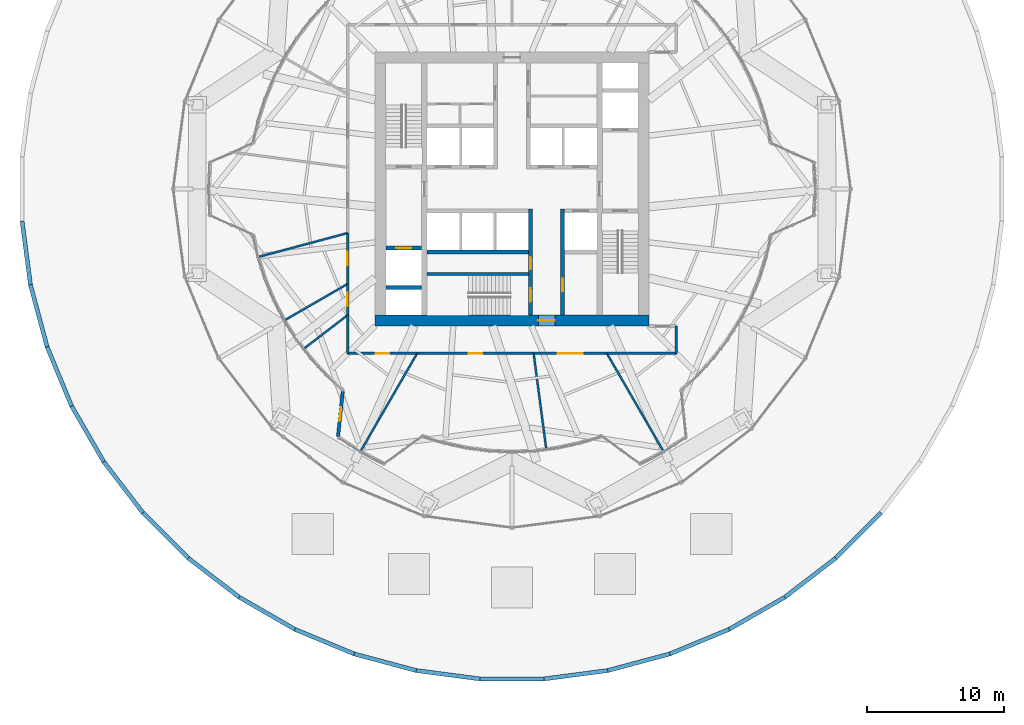
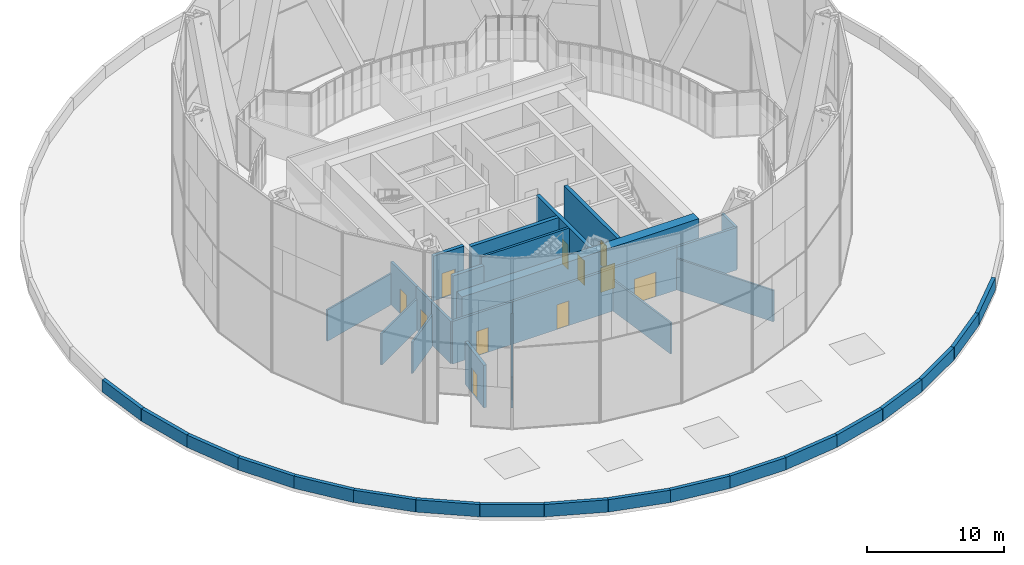
# One storey, part 23 of 27: 40 walls, 11 doors, 11 openings.
"""IFC4 building model written with IfcOpenShell, lengths in metres."""

from ifc_helpers import new_model, si_unit, direction, frame, frame_2d, origin, place, context, subcontext, project, spatial, rectangle, extrude, material, layer, layer_set, type_object, element, fill, save


model = new_model("IFC4")

# Units and contexts
model_context = context("Model", 3, precision=1e-05, world=origin(), true_north=direction((0.0, 1.0)))
body_context = subcontext(model_context, "Body", "Model", "MODEL_VIEW")
ifc_project = project(units=[si_unit("LENGTHUNIT", "METRE"), si_unit("AREAUNIT", "SQUARE_METRE"), si_unit("VOLUMEUNIT", "CUBIC_METRE"), si_unit("PLANEANGLEUNIT", "RADIAN"), si_unit("MASSUNIT", "GRAM", prefix="KILO")], contexts=[model_context])

# Site, building, storey
site_placement = place(None, origin())
site = spatial("IfcSite", under=ifc_project, at=site_placement, CompositionType="ELEMENT")
building_placement = place(site_placement, origin())
building = spatial("IfcBuilding", under=site, at=building_placement, Name="Golbaran Civic Tower", CompositionType="ELEMENT")
storey_placement = place(building_placement, frame((0.0, 0.0, 21.0)))
storey = spatial("IfcBuildingStorey", under=building, at=storey_placement, Name="L04", CompositionType="ELEMENT", Elevation=21.0)

# Wall, opening, door
ifc_material_1 = material(Name="Concrete C50/60", Category="concrete")
ifc_layer_1 = layer(ifc_material_1, 0.800048828125, Name="Concrete C50/60")
ifc_layer_set_1 = layer_set([ifc_layer_1], Name="Concrete C50/60")
wall_type_1 = type_object("IfcWallType", Name="CORE WALL CONCRETE 800", PredefinedType="SOLIDWALL", material=ifc_layer_set_1)
wall_1_placement = place(storey_placement, frame((10.0, -9.60009765625, 0.0), z_axis=(0.0, 0.0, 1.0), x_axis=(-1.0, 0.0, 0.0)))
wall_1 = element("IfcWall", 1, at=wall_1_placement, inside=storey, type_object=wall_type_1, Name="Core wall CS L04", PredefinedType="SOLIDWALL", context=body_context, shape_type="SweptSolid", body=[
    extrude(rectangle(XDim=20.0, YDim=0.800048828125, at=frame_2d((10.0, 0.0))), origin(), (0.0, 0.0, 1.0), 4.0),
])
opening_1_placement = place(wall_1_placement, frame((6.875, 0.0, 0.0)))
opening_1 = element("IfcOpeningElement", 2, at=opening_1_placement, cuts=wall_1, Name="Opening L04.CS", PredefinedType="OPENING", context=body_context, shape_type="SweptSolid", body=[
    extrude(rectangle(XDim=1.199951171875, YDim=2.199951171875, at=frame_2d((0.60009765625, 1.10009765625))), frame((0.0, 0.409912109375, 0.0), z_axis=(0.0, -1.0, 0.0), x_axis=(1.0, 0.0, 0.0)), (0.0, 0.0, 1.0), 0.820068359375),
])
ifc_material_2 = material(Name="Timber door set in steel frame", Category="steel")
door_type_1 = type_object("IfcDoorType", Name="CORE DOOR 1200x2200", OperationType="DOUBLE_DOOR_SINGLE_SWING", PredefinedType="DOOR", material=ifc_material_2)
door_1_placement = place(opening_1_placement, origin())
door_1 = element("IfcDoor", 3, at=door_1_placement, inside=storey, type_object=door_type_1, Name="Core door south", OperationType="DOUBLE_DOOR_SINGLE_SWING", OverallHeight=2.199951171875, OverallWidth=1.199951171875, PredefinedType="DOOR", context=body_context, shape_type="SweptSolid", body=[
    extrude(rectangle(XDim=1.199951171875, YDim=2.199951171875, at=frame_2d((0.60009765625, 1.10009765625))), frame((0.0, 0.02490234375, 0.0), z_axis=(0.0, -1.0, 0.0), x_axis=(1.0, 0.0, 0.0)), (0.0, 0.0, 1.0), 0.050048828125),
])
fill(opening_1, door_1)

ifc_material_3 = material(Name="Gypsum board on steel studs, fire-rated", Category="steel")
ifc_layer_2 = layer(ifc_material_3, 0.199951171875, Name="Gypsum board on steel studs, fire-rated")
ifc_layer_set_2 = layer_set([ifc_layer_2], Name="Gypsum board on steel studs, fire-rated")
wall_type_2 = type_object("IfcWallType", Name="CORRIDOR WALL 200", PredefinedType="PARTITIONING", material=ifc_layer_set_2)
wall_2_placement = place(storey_placement, frame((-12.0, -3.21533203125, 0.0), z_axis=(0.0, 0.0, 1.0), x_axis=(0.0, -1.0, 0.0)))
wall_2 = element("IfcWall", 4, at=wall_2_placement, inside=storey, type_object=wall_type_2, Name="Corridor wall L04", PredefinedType="PARTITIONING", context=body_context, shape_type="SweptSolid", body=[
    extrude(rectangle(XDim=3.712890625, YDim=0.199951171875, at=frame_2d((1.8564453125, 0.0))), origin(), (0.0, 0.0, 1.0), 3.800048828125),
])
opening_2_placement = place(wall_2_placement, frame((1.3564453125, 0.0, 0.0)))
opening_2 = element("IfcOpeningElement", 5, at=opening_2_placement, cuts=wall_2, Name="Opening L04.09", PredefinedType="OPENING", context=body_context, shape_type="SweptSolid", body=[
    extrude(rectangle(XDim=1.0, YDim=2.199951171875, at=frame_2d((0.5, 1.10009765625))), frame((0.0, 0.10986328125, 0.0), z_axis=(0.0, -1.0, 0.0), x_axis=(1.0, 0.0, 0.0)), (0.0, 0.0, 1.0), 0.219970703125),
])
door_type_2 = type_object("IfcDoorType", Name="OFFICE DOOR 1000x2200", OperationType="SINGLE_SWING_LEFT", PredefinedType="DOOR", material=ifc_material_2)
door_2_placement = place(opening_2_placement, origin())
door_2 = element("IfcDoor", 6, at=door_2_placement, inside=storey, type_object=door_type_2, Name="Project Room door L04", OperationType="SINGLE_SWING_RIGHT", OverallHeight=2.199951171875, OverallWidth=1.0, PredefinedType="DOOR", context=body_context, shape_type="SweptSolid", body=[
    extrude(rectangle(XDim=1.0, YDim=2.199951171875, at=frame_2d((0.5, 1.10009765625))), frame((0.0, 0.02490234375, 0.0), z_axis=(0.0, -1.0, 0.0), x_axis=(1.0, 0.0, 0.0)), (0.0, 0.0, 1.0), 0.050048828125),
])
fill(opening_2, door_2)

wall_3_placement = place(storey_placement, frame((-12.0, -6.92822265625, 0.0), z_axis=(0.0, 0.0, 1.0), x_axis=(0.0, -1.0, 0.0)))
wall_3 = element("IfcWall", 7, at=wall_3_placement, inside=storey, type_object=wall_type_2, Name="Corridor wall L04", PredefinedType="PARTITIONING", context=body_context, shape_type="SweptSolid", body=[
    extrude(rectangle(XDim=2.27978515625, YDim=0.199951171875, at=frame_2d((1.139892578125, 0.0))), origin(), (0.0, 0.0, 1.0), 3.800048828125),
])
opening_3_placement = place(wall_3_placement, frame((0.639892578125, 0.0, 0.0)))
opening_3 = element("IfcOpeningElement", 8, at=opening_3_placement, cuts=wall_3, Name="Opening L04.10", PredefinedType="OPENING", context=body_context, shape_type="SweptSolid", body=[
    extrude(rectangle(XDim=1.0, YDim=2.199951171875, at=frame_2d((0.5, 1.10009765625))), frame((0.0, 0.10986328125, 0.0), z_axis=(0.0, -1.0, 0.0), x_axis=(1.0, 0.0, 0.0)), (0.0, 0.0, 1.0), 0.219970703125),
])
door_3_placement = place(opening_3_placement, origin())
door_3 = element("IfcDoor", 9, at=door_3_placement, inside=storey, type_object=door_type_2, Name="Store door L04", OperationType="SINGLE_SWING_RIGHT", OverallHeight=2.199951171875, OverallWidth=1.0, PredefinedType="DOOR", context=body_context, shape_type="SweptSolid", body=[
    extrude(rectangle(XDim=1.0, YDim=2.199951171875, at=frame_2d((0.5, 1.10009765625))), frame((0.0, 0.02490234375, 0.0), z_axis=(0.0, -1.0, 0.0), x_axis=(1.0, 0.0, 0.0)), (0.0, 0.0, 1.0), 0.050048828125),
])
fill(opening_3, door_3)

# Wall
wall_4_placement = place(storey_placement, frame((-12.0, -9.2080078125, 0.0), z_axis=(0.0, 0.0, 1.0), x_axis=(0.0, -1.0, 0.0)))
element("IfcWall", 10, at=wall_4_placement, inside=storey, type_object=wall_type_2, Name="Corridor wall L04", PredefinedType="PARTITIONING", context=body_context, shape_type="SweptSolid", body=[
    extrude(rectangle(XDim=2.7919921875, YDim=0.199951171875, at=frame_2d((1.39599609375, 0.0))), origin(), (0.0, 0.0, 1.0), 3.800048828125),
])

# Wall, opening, door
wall_5_placement = place(storey_placement, frame((-12.0, -12.0, 0.0), z_axis=(0.0, 0.0, 1.0), x_axis=(1.0, 0.0, 0.0)))
wall_5 = element("IfcWall", 11, at=wall_5_placement, inside=storey, type_object=wall_type_2, Name="Corridor wall L04", PredefinedType="PARTITIONING", context=body_context, shape_type="SweptSolid", body=[
    extrude(rectangle(XDim=5.07177734375, YDim=0.199951171875, at=frame_2d((2.535888671875, 0.0))), origin(), (0.0, 0.0, 1.0), 3.800048828125),
])
opening_4_placement = place(wall_5_placement, frame((2.035888671875, 0.0, 0.0)))
opening_4 = element("IfcOpeningElement", 12, at=opening_4_placement, cuts=wall_5, Name="Opening L04.11", PredefinedType="OPENING", context=body_context, shape_type="SweptSolid", body=[
    extrude(rectangle(XDim=1.0, YDim=2.199951171875, at=frame_2d((0.5, 1.10009765625))), frame((0.0, 0.10986328125, 0.0), z_axis=(0.0, -1.0, 0.0), x_axis=(1.0, 0.0, 0.0)), (0.0, 0.0, 1.0), 0.219970703125),
])
door_4_placement = place(opening_4_placement, origin())
door_4 = element("IfcDoor", 13, at=door_4_placement, inside=storey, type_object=door_type_2, Name="Print and Copy Room door L04", OperationType="SINGLE_SWING_LEFT", OverallHeight=2.199951171875, OverallWidth=1.0, PredefinedType="DOOR", context=body_context, shape_type="SweptSolid", body=[
    extrude(rectangle(XDim=1.0, YDim=2.199951171875, at=frame_2d((0.5, 1.10009765625))), frame((0.0, 0.02490234375, 0.0), z_axis=(0.0, -1.0, 0.0), x_axis=(1.0, 0.0, 0.0)), (0.0, 0.0, 1.0), 0.050048828125),
])
fill(opening_4, door_4)

wall_6_placement = place(storey_placement, frame((-6.92822265625, -12.0, 0.0), z_axis=(0.0, 0.0, 1.0), x_axis=(1.0, 0.0, 0.0)))
wall_6 = element("IfcWall", 14, at=wall_6_placement, inside=storey, type_object=wall_type_2, Name="Corridor wall L04", PredefinedType="PARTITIONING", context=body_context, shape_type="SweptSolid", body=[
    extrude(rectangle(XDim=8.508056640625, YDim=0.199951171875, at=frame_2d((4.25390625, 0.0))), origin(), (0.0, 0.0, 1.0), 3.800048828125),
])
opening_5_placement = place(wall_6_placement, frame((3.75390625, 0.0, 0.0)))
opening_5 = element("IfcOpeningElement", 15, at=opening_5_placement, cuts=wall_6, Name="Opening L04.12", PredefinedType="OPENING", context=body_context, shape_type="SweptSolid", body=[
    extrude(rectangle(XDim=1.0, YDim=2.199951171875, at=frame_2d((0.5, 1.10009765625))), frame((0.0, 0.10986328125, 0.0), z_axis=(0.0, -1.0, 0.0), x_axis=(1.0, 0.0, 0.0)), (0.0, 0.0, 1.0), 0.219970703125),
])
door_5_placement = place(opening_5_placement, origin())
door_5 = element("IfcDoor", 16, at=door_5_placement, inside=storey, type_object=door_type_2, Name="File Room door L04", OperationType="SINGLE_SWING_LEFT", OverallHeight=2.199951171875, OverallWidth=1.0, PredefinedType="DOOR", context=body_context, shape_type="SweptSolid", body=[
    extrude(rectangle(XDim=1.0, YDim=2.199951171875, at=frame_2d((0.5, 1.10009765625))), frame((0.0, 0.02490234375, 0.0), z_axis=(0.0, -1.0, 0.0), x_axis=(1.0, 0.0, 0.0)), (0.0, 0.0, 1.0), 0.050048828125),
])
fill(opening_5, door_5)

wall_7_placement = place(storey_placement, frame((1.579833984375, -12.0, 0.0), z_axis=(0.0, 0.0, 1.0), x_axis=(1.0, 0.0, 0.0)))
wall_7 = element("IfcWall", 17, at=wall_7_placement, inside=storey, type_object=wall_type_2, Name="Corridor wall L04", PredefinedType="PARTITIONING", context=body_context, shape_type="SweptSolid", body=[
    extrude(rectangle(XDim=5.348388671875, YDim=0.199951171875, at=frame_2d((2.67431640625, 0.0))), origin(), (0.0, 0.0, 1.0), 3.800048828125),
])
opening_6_placement = place(wall_7_placement, frame((1.774169921875, 0.0, 0.0)))
opening_6 = element("IfcOpeningElement", 18, at=opening_6_placement, cuts=wall_7, Name="Opening L04.13", PredefinedType="OPENING", context=body_context, shape_type="SweptSolid", body=[
    extrude(rectangle(XDim=1.800048828125, YDim=2.199951171875, at=frame_2d((0.89990234375, 1.10009765625))), frame((0.0, 0.10986328125, 0.0), z_axis=(0.0, -1.0, 0.0), x_axis=(1.0, 0.0, 0.0)), (0.0, 0.0, 1.0), 0.219970703125),
])
door_type_3 = type_object("IfcDoorType", Name="OFFICE DOUBLE DOOR 1800x2200", OperationType="DOUBLE_DOOR_SINGLE_SWING", PredefinedType="DOOR", material=ifc_material_2)
door_6_placement = place(opening_6_placement, origin())
door_6 = element("IfcDoor", 19, at=door_6_placement, inside=storey, type_object=door_type_3, Name="Open Office door L04", OperationType="DOUBLE_DOOR_SINGLE_SWING", OverallHeight=2.199951171875, OverallWidth=1.800048828125, PredefinedType="DOOR", context=body_context, shape_type="SweptSolid", body=[
    extrude(rectangle(XDim=1.800048828125, YDim=2.199951171875, at=frame_2d((0.89990234375, 1.10009765625))), frame((0.0, 0.02490234375, 0.0), z_axis=(0.0, -1.0, 0.0), x_axis=(1.0, 0.0, 0.0)), (0.0, 0.0, 1.0), 0.050048828125),
])
fill(opening_6, door_6)

# Walls
wall_8_placement = place(storey_placement, frame((6.92822265625, -12.0, 0.0), z_axis=(0.0, 0.0, 1.0), x_axis=(1.0, 0.0, 0.0)))
element("IfcWall", 20, at=wall_8_placement, inside=storey, type_object=wall_type_2, Name="Corridor wall L04", PredefinedType="PARTITIONING", context=body_context, shape_type="SweptSolid", body=[
    extrude(rectangle(XDim=5.07177734375, YDim=0.199951171875, at=frame_2d((2.535888671875, 0.0))), origin(), (0.0, 0.0, 1.0), 3.800048828125),
])
wall_9_placement = place(storey_placement, frame((12.0, -12.0, 0.0), z_axis=(0.0, 0.0, 1.0), x_axis=(0.0, 1.0, 0.0)))
element("IfcWall", 21, at=wall_9_placement, inside=storey, type_object=wall_type_2, Name="Corridor wall L04", PredefinedType="PARTITIONING", context=body_context, shape_type="SweptSolid", body=[
    extrude(rectangle(XDim=2.0, YDim=0.199951171875, at=frame_2d((1.0, 0.0))), origin(), (0.0, 0.0, 1.0), 3.800048828125),
])
ifc_material_4 = material(Name="Gypsum board on steel studs", Category="steel")
ifc_layer_3 = layer(ifc_material_4, 0.14990234375, Name="Gypsum board on steel studs")
ifc_layer_set_3 = layer_set([ifc_layer_3], Name="Gypsum board on steel studs")
wall_type_3 = type_object("IfcWallType", Name="OFFICE PARTITION 150", PredefinedType="PARTITIONING", material=ifc_layer_set_3)
wall_10_placement = place(storey_placement, frame((-12.0, -3.21533203125, 0.0), z_axis=(0.0, 0.0, 1.0), x_axis=(-0.965926419694, -0.258816830476, 0.0)))
element("IfcWall", 22, at=wall_10_placement, inside=storey, type_object=wall_type_3, Name="Partition 195 L04", PredefinedType="PARTITIONING", context=body_context, shape_type="SweptSolid", body=[
    extrude(rectangle(XDim=6.7001953125, YDim=0.14990234375, at=frame_2d((3.35009765625, 0.0))), origin(), (0.0, 0.0, 1.0), 2.7900390625),
])
wall_11_placement = place(storey_placement, frame((-12.0, -6.92822265625, 0.0), z_axis=(0.0, 0.0, 1.0), x_axis=(-0.866029667373, -0.499992615176, 0.0)))
element("IfcWall", 23, at=wall_11_placement, inside=storey, type_object=wall_type_3, Name="Partition 210 L04", PredefinedType="PARTITIONING", context=body_context, shape_type="SweptSolid", body=[
    extrude(rectangle(XDim=5.26708984375, YDim=0.14990234375, at=frame_2d((2.633544921875, 0.0))), origin(), (0.0, 0.0, 1.0), 2.7900390625),
])
wall_12_placement = place(storey_placement, frame((-12.0, -9.2080078125, 0.0), z_axis=(0.0, 0.0, 1.0), x_axis=(-0.7933554916, -0.608758625359, 0.0)))
element("IfcWall", 24, at=wall_12_placement, inside=storey, type_object=wall_type_3, Name="Partition 217.5 L04", PredefinedType="PARTITIONING", context=body_context, shape_type="SweptSolid", body=[
    extrude(rectangle(XDim=3.9794921875, YDim=0.14990234375, at=frame_2d((1.98974609375, 0.0))), origin(), (0.0, 0.0, 1.0), 2.7900390625),
])
wall_13_placement = place(storey_placement, frame((-6.92822265625, -12.0, 0.0), z_axis=(0.0, 0.0, 1.0), x_axis=(-0.499995243048, -0.866028150195, 0.0)))
element("IfcWall", 25, at=wall_13_placement, inside=storey, type_object=wall_type_3, Name="Partition 240 L04", PredefinedType="PARTITIONING", context=body_context, shape_type="SweptSolid", body=[
    extrude(rectangle(XDim=8.2119140625, YDim=0.14990234375, at=frame_2d((4.10595703125, 0.0))), origin(), (0.0, 0.0, 1.0), 2.7900390625),
])
wall_14_placement = place(storey_placement, frame((1.579833984375, -12.0, 0.0), z_axis=(0.0, 0.0, 1.0), x_axis=(0.130512238579, -0.991446698306, 0.0)))
element("IfcWall", 26, at=wall_14_placement, inside=storey, type_object=wall_type_3, Name="Partition 277.5 L04", PredefinedType="PARTITIONING", context=body_context, shape_type="SweptSolid", body=[
    extrude(rectangle(XDim=7.001708984375, YDim=0.14990234375, at=frame_2d((3.5009765625, 0.0))), origin(), (0.0, 0.0, 1.0), 2.7900390625),
])
wall_15_placement = place(storey_placement, frame((6.92822265625, -12.0, 0.0), z_axis=(0.0, 0.0, 1.0), x_axis=(0.499995243048, -0.866028150195, 0.0)))
element("IfcWall", 27, at=wall_15_placement, inside=storey, type_object=wall_type_3, Name="Partition 300 L04", PredefinedType="PARTITIONING", context=body_context, shape_type="SweptSolid", body=[
    extrude(rectangle(XDim=8.2119140625, YDim=0.14990234375, at=frame_2d((4.10595703125, 0.0))), origin(), (0.0, 0.0, 1.0), 2.7900390625),
])
ifc_material_5 = material(Name="Terracotta brick", Category="masonry")
ifc_layer_4 = layer(ifc_material_5, 0.300048828125, Name="Terracotta brick")
ifc_layer_set_4 = layer_set([ifc_layer_4], Name="Terracotta brick")
wall_type_4 = type_object("IfcWallType", Name="PARAPET WALL 300", PredefinedType="PARAPET", material=ifc_layer_set_4)
wall_16_placement = place(storey_placement, frame((-35.773193359375, -2.3447265625, 0.0), z_axis=(0.0, 0.0, 1.0), x_axis=(0.130523197803, -0.991445255592, 0.0)))
element("IfcWall", 28, at=wall_16_placement, inside=storey, type_object=wall_type_4, Name="Podium roof parapet 25", PredefinedType="PARAPET", context=body_context, shape_type="SweptSolid", body=[
    extrude(rectangle(XDim=4.689208984375, YDim=0.300048828125, at=frame_2d((2.3447265625, 0.0))), origin(), (0.0, 0.0, 1.0), 1.10009765625),
])
wall_17_placement = place(storey_placement, frame((-35.1611328125, -6.993896484375, 0.0), z_axis=(0.0, 0.0, 1.0), x_axis=(0.258793334411, -0.965932715081, 0.0)))
element("IfcWall", 29, at=wall_17_placement, inside=storey, type_object=wall_type_4, Name="Podium roof parapet 26", PredefinedType="PARAPET", context=body_context, shape_type="SweptSolid", body=[
    extrude(rectangle(XDim=4.689453125, YDim=0.300048828125, at=frame_2d((2.3447265625, 0.0))), origin(), (0.0, 0.0, 1.0), 1.10009765625),
])
wall_18_placement = place(storey_placement, frame((-33.947509765625, -11.523681640625, 0.0), z_axis=(0.0, 0.0, 1.0), x_axis=(0.382718109354, -0.92386516807, 0.0)))
element("IfcWall", 30, at=wall_18_placement, inside=storey, type_object=wall_type_4, Name="Podium roof parapet 27", PredefinedType="PARAPET", context=body_context, shape_type="SweptSolid", body=[
    extrude(rectangle(XDim=4.689208984375, YDim=0.300048828125, at=frame_2d((2.3447265625, 0.0))), origin(), (0.0, 0.0, 1.0), 1.10009765625),
])
wall_19_placement = place(storey_placement, frame((-32.15283203125, -15.85595703125, 0.0), z_axis=(0.0, 0.0, 1.0), x_axis=(0.499991342483, -0.866030402146, 0.0)))
element("IfcWall", 31, at=wall_19_placement, inside=storey, type_object=wall_type_4, Name="Podium roof parapet 28", PredefinedType="PARAPET", context=body_context, shape_type="SweptSolid", body=[
    extrude(rectangle(XDim=4.689453125, YDim=0.300048828125, at=frame_2d((2.3447265625, 0.0))), origin(), (0.0, 0.0, 1.0), 1.10009765625),
])
wall_20_placement = place(storey_placement, frame((-29.80810546875, -19.917236328125, 0.0), z_axis=(0.0, 0.0, 1.0), x_axis=(0.608776874879, -0.793341488019, 0.0)))
element("IfcWall", 32, at=wall_20_placement, inside=storey, type_object=wall_type_4, Name="Podium roof parapet 29", PredefinedType="PARAPET", context=body_context, shape_type="SweptSolid", body=[
    extrude(rectangle(XDim=4.689208984375, YDim=0.300048828125, at=frame_2d((2.3447265625, 0.0))), origin(), (0.0, 0.0, 1.0), 1.10009765625),
])
wall_21_placement = place(storey_placement, frame((-26.953369140625, -23.637451171875, 0.0), z_axis=(0.0, 0.0, 1.0), x_axis=(0.707106781187, -0.707106781187, 0.0)))
element("IfcWall", 33, at=wall_21_placement, inside=storey, type_object=wall_type_4, Name="Podium roof parapet 30", PredefinedType="PARAPET", context=body_context, shape_type="SweptSolid", body=[
    extrude(rectangle(XDim=4.689453125, YDim=0.300048828125, at=frame_2d((2.3447265625, 0.0))), origin(), (0.0, 0.0, 1.0), 1.10009765625),
])
wall_22_placement = place(storey_placement, frame((-23.637451171875, -26.953369140625, 0.0), z_axis=(0.0, 0.0, 1.0), x_axis=(0.793341488019, -0.608776874879, 0.0)))
element("IfcWall", 34, at=wall_22_placement, inside=storey, type_object=wall_type_4, Name="Podium roof parapet 31", PredefinedType="PARAPET", context=body_context, shape_type="SweptSolid", body=[
    extrude(rectangle(XDim=4.689208984375, YDim=0.300048828125, at=frame_2d((2.3447265625, 0.0))), origin(), (0.0, 0.0, 1.0), 1.10009765625),
])
wall_23_placement = place(storey_placement, frame((-19.917236328125, -29.80810546875, 0.0), z_axis=(0.0, 0.0, 1.0), x_axis=(0.866030402146, -0.499991342483, 0.0)))
element("IfcWall", 35, at=wall_23_placement, inside=storey, type_object=wall_type_4, Name="Podium roof parapet 32", PredefinedType="PARAPET", context=body_context, shape_type="SweptSolid", body=[
    extrude(rectangle(XDim=4.689453125, YDim=0.300048828125, at=frame_2d((2.3447265625, 0.0))), origin(), (0.0, 0.0, 1.0), 1.10009765625),
])
wall_24_placement = place(storey_placement, frame((-15.85595703125, -32.15283203125, 0.0), z_axis=(0.0, 0.0, 1.0), x_axis=(0.92386516807, -0.382718109354, 0.0)))
element("IfcWall", 36, at=wall_24_placement, inside=storey, type_object=wall_type_4, Name="Podium roof parapet 33", PredefinedType="PARAPET", context=body_context, shape_type="SweptSolid", body=[
    extrude(rectangle(XDim=4.689208984375, YDim=0.300048828125, at=frame_2d((2.3447265625, 0.0))), origin(), (0.0, 0.0, 1.0), 1.10009765625),
])
wall_25_placement = place(storey_placement, frame((-11.523681640625, -33.947509765625, 0.0), z_axis=(0.0, 0.0, 1.0), x_axis=(0.965932715081, -0.258793334411, 0.0)))
element("IfcWall", 37, at=wall_25_placement, inside=storey, type_object=wall_type_4, Name="Podium roof parapet 34", PredefinedType="PARAPET", context=body_context, shape_type="SweptSolid", body=[
    extrude(rectangle(XDim=4.689453125, YDim=0.300048828125, at=frame_2d((2.3447265625, 0.0))), origin(), (0.0, 0.0, 1.0), 1.10009765625),
])
wall_26_placement = place(storey_placement, frame((-6.993896484375, -35.1611328125, 0.0), z_axis=(0.0, 0.0, 1.0), x_axis=(0.991445255592, -0.130523197803, 0.0)))
element("IfcWall", 38, at=wall_26_placement, inside=storey, type_object=wall_type_4, Name="Podium roof parapet 35", PredefinedType="PARAPET", context=body_context, shape_type="SweptSolid", body=[
    extrude(rectangle(XDim=4.689208984375, YDim=0.300048828125, at=frame_2d((2.3447265625, 0.0))), origin(), (0.0, 0.0, 1.0), 1.10009765625),
])
wall_27_placement = place(storey_placement, frame((-2.3447265625, -35.773193359375, 0.0), z_axis=(0.0, 0.0, 1.0), x_axis=(1.0, 0.0, 0.0)))
element("IfcWall", 39, at=wall_27_placement, inside=storey, type_object=wall_type_4, Name="Podium roof parapet 36", PredefinedType="PARAPET", context=body_context, shape_type="SweptSolid", body=[
    extrude(rectangle(XDim=4.689453125, YDim=0.300048828125, at=frame_2d((2.3447265625, 0.0))), origin(), (0.0, 0.0, 1.0), 1.10009765625),
])
wall_28_placement = place(storey_placement, frame((2.3447265625, -35.773193359375, 0.0), z_axis=(0.0, 0.0, 1.0), x_axis=(0.991445255592, 0.130523197803, 0.0)))
element("IfcWall", 40, at=wall_28_placement, inside=storey, type_object=wall_type_4, Name="Podium roof parapet 37", PredefinedType="PARAPET", context=body_context, shape_type="SweptSolid", body=[
    extrude(rectangle(XDim=4.689208984375, YDim=0.300048828125, at=frame_2d((2.3447265625, 0.0))), origin(), (0.0, 0.0, 1.0), 1.10009765625),
])
wall_29_placement = place(storey_placement, frame((6.993896484375, -35.1611328125, 0.0), z_axis=(0.0, 0.0, 1.0), x_axis=(0.965932715081, 0.258793334411, 0.0)))
element("IfcWall", 41, at=wall_29_placement, inside=storey, type_object=wall_type_4, Name="Podium roof parapet 38", PredefinedType="PARAPET", context=body_context, shape_type="SweptSolid", body=[
    extrude(rectangle(XDim=4.689453125, YDim=0.300048828125, at=frame_2d((2.3447265625, 0.0))), origin(), (0.0, 0.0, 1.0), 1.10009765625),
])
wall_30_placement = place(storey_placement, frame((11.523681640625, -33.947509765625, 0.0), z_axis=(0.0, 0.0, 1.0), x_axis=(0.92386516807, 0.382718109354, 0.0)))
element("IfcWall", 42, at=wall_30_placement, inside=storey, type_object=wall_type_4, Name="Podium roof parapet 39", PredefinedType="PARAPET", context=body_context, shape_type="SweptSolid", body=[
    extrude(rectangle(XDim=4.689208984375, YDim=0.300048828125, at=frame_2d((2.3447265625, 0.0))), origin(), (0.0, 0.0, 1.0), 1.10009765625),
])
wall_31_placement = place(storey_placement, frame((15.85595703125, -32.15283203125, 0.0), z_axis=(0.0, 0.0, 1.0), x_axis=(0.866030402146, 0.499991342483, 0.0)))
element("IfcWall", 43, at=wall_31_placement, inside=storey, type_object=wall_type_4, Name="Podium roof parapet 40", PredefinedType="PARAPET", context=body_context, shape_type="SweptSolid", body=[
    extrude(rectangle(XDim=4.689453125, YDim=0.300048828125, at=frame_2d((2.3447265625, 0.0))), origin(), (0.0, 0.0, 1.0), 1.10009765625),
])
wall_32_placement = place(storey_placement, frame((19.917236328125, -29.80810546875, 0.0), z_axis=(0.0, 0.0, 1.0), x_axis=(0.793341488019, 0.608776874879, 0.0)))
element("IfcWall", 44, at=wall_32_placement, inside=storey, type_object=wall_type_4, Name="Podium roof parapet 41", PredefinedType="PARAPET", context=body_context, shape_type="SweptSolid", body=[
    extrude(rectangle(XDim=4.689208984375, YDim=0.300048828125, at=frame_2d((2.3447265625, 0.0))), origin(), (0.0, 0.0, 1.0), 1.10009765625),
])
wall_33_placement = place(storey_placement, frame((23.637451171875, -26.953369140625, 0.0), z_axis=(0.0, 0.0, 1.0), x_axis=(0.707106781187, 0.707106781187, 0.0)))
element("IfcWall", 45, at=wall_33_placement, inside=storey, type_object=wall_type_4, Name="Podium roof parapet 42", PredefinedType="PARAPET", context=body_context, shape_type="SweptSolid", body=[
    extrude(rectangle(XDim=4.689453125, YDim=0.300048828125, at=frame_2d((2.3447265625, 0.0))), origin(), (0.0, 0.0, 1.0), 1.10009765625),
])

# Wall, opening, door
ifc_material_6 = material(Name="Reinforced blockwork, rendered", Category="masonry")
ifc_layer_5 = layer(ifc_material_6, 0.25, Name="Reinforced blockwork, rendered")
ifc_layer_set_5 = layer_set([ifc_layer_5], Name="Reinforced blockwork, rendered")
wall_type_5 = type_object("IfcWallType", Name="SERVICE DOOR BAY PIER 250", PredefinedType="SOLIDWALL", material=ifc_layer_set_5)
wall_34_placement = place(storey_placement, frame((-12.35791015625, -14.7841796875, 0.0), z_axis=(0.0, 0.0, 1.0), x_axis=(-0.104080228289, -0.994568904641, 0.0)))
wall_34 = element("IfcWall", 46, at=wall_34_placement, inside=storey, type_object=wall_type_5, Name="Service door bay pier L04", PredefinedType="SOLIDWALL", context=body_context, shape_type="SweptSolid", body=[
    extrude(rectangle(XDim=3.321533203125, YDim=0.25, at=frame_2d((1.66064453125, 0.0))), origin(), (0.0, 0.0, 1.0), 3.800048828125),
])
opening_7_placement = place(wall_34_placement, frame((1.160888671875, 0.0, 0.0)))
opening_7 = element("IfcOpeningElement", 47, at=opening_7_placement, cuts=wall_34, Name="Opening L04.14", PredefinedType="OPENING", context=body_context, shape_type="SweptSolid", body=[
    extrude(rectangle(XDim=1.0, YDim=2.199951171875, at=frame_2d((0.5, 1.10009765625))), frame((0.0, 0.135009765625, 0.0), z_axis=(0.0, -1.0, 0.0), x_axis=(1.0, 0.0, 0.0)), (0.0, 0.0, 1.0), 0.27001953125),
])
ifc_material_7 = material(Name="Steel door set, weathertight, self-closing", Category="steel")
door_type_4 = type_object("IfcDoorType", Name="PODIUM ROOF ACCESS DOOR 1000x2200", OperationType="SINGLE_SWING_LEFT", PredefinedType="DOOR", material=ifc_material_7)
door_7_placement = place(opening_7_placement, origin())
door_7 = element("IfcDoor", 48, at=door_7_placement, inside=storey, type_object=door_type_4, Name="Podium roof access door", OperationType="SINGLE_SWING_RIGHT", OverallHeight=2.199951171875, OverallWidth=1.0, PredefinedType="DOOR", context=body_context, shape_type="SweptSolid", body=[
    extrude(rectangle(XDim=1.0, YDim=2.199951171875, at=frame_2d((0.5, 1.10009765625))), frame((0.0, 0.02490234375, 0.0), z_axis=(0.0, -1.0, 0.0), x_axis=(1.0, 0.0, 0.0)), (0.0, 0.0, 1.0), 0.050048828125),
])
fill(opening_7, door_7)

# Walls
ifc_layer_6 = layer(ifc_material_1, 0.199951171875, Name="Concrete C50/60")
ifc_layer_set_6 = layer_set([ifc_layer_6], Name="Concrete C50/60")
wall_type_6 = type_object("IfcWallType", Name="SHAFT WALL CONCRETE 200", PredefinedType="SOLIDWALL", material=ifc_layer_set_6)
wall_35_placement = place(storey_placement, frame((-6.199951171875, -6.199951171875, 0.0), z_axis=(0.0, 0.0, 1.0), x_axis=(1.0, 0.0, 0.0)))
element("IfcWall", 49, at=wall_35_placement, inside=storey, type_object=wall_type_6, Name="Core wall S3N L04", PredefinedType="SOLIDWALL", context=body_context, shape_type="SweptSolid", body=[
    extrude(rectangle(XDim=7.39990234375, YDim=0.199951171875, at=frame_2d((3.699951171875, 0.0))), origin(), (0.0, 0.0, 1.0), 4.0),
])
ifc_layer_7 = layer(ifc_material_1, 0.300048828125, Name="Concrete C50/60")
ifc_layer_set_7 = layer_set([ifc_layer_7], Name="Concrete C50/60")
wall_type_7 = type_object("IfcWallType", Name="SHAFT WALL CONCRETE 300", PredefinedType="SOLIDWALL", material=ifc_layer_set_7)
wall_36_placement = place(storey_placement, frame((-6.199951171875, -4.60009765625, 0.0), z_axis=(0.0, 0.0, 1.0), x_axis=(1.0, 0.0, 0.0)))
element("IfcWall", 50, at=wall_36_placement, inside=storey, type_object=wall_type_7, Name="Core wall BSW L04", PredefinedType="SOLIDWALL", context=body_context, shape_type="SweptSolid", body=[
    extrude(rectangle(XDim=7.39990234375, YDim=0.300048828125, at=frame_2d((3.699951171875, 0.0))), origin(), (0.0, 0.0, 1.0), 4.0),
])

# Wall, openings, doors
wall_37_placement = place(storey_placement, frame((1.35009765625, -1.449951171875, 0.0), z_axis=(0.0, 0.0, 1.0), x_axis=(0.0, -1.0, 0.0)))
wall_37 = element("IfcWall", 51, at=wall_37_placement, inside=storey, type_object=wall_type_7, Name="Core wall PSW L04", PredefinedType="SOLIDWALL", context=body_context, shape_type="SweptSolid", body=[
    extrude(rectangle(XDim=7.75, YDim=0.300048828125, at=frame_2d((3.875, 0.0))), origin(), (0.0, 0.0, 1.0), 4.0),
])
opening_8_placement = place(wall_37_placement, frame((5.800048828125, 0.0, 0.0)))
opening_8 = element("IfcOpeningElement", 52, at=opening_8_placement, cuts=wall_37, Name="Opening L04.S3", PredefinedType="OPENING", context=body_context, shape_type="SweptSolid", body=[
    extrude(rectangle(XDim=1.0, YDim=2.199951171875, at=frame_2d((0.5, 1.10009765625))), frame((0.0, 0.159912109375, 0.0), z_axis=(0.0, -1.0, 0.0), x_axis=(1.0, 0.0, 0.0)), (0.0, 0.0, 1.0), 0.320068359375),
])
opening_9_placement = place(wall_37_placement, frame((3.52490234375, 0.0, 0.0)))
opening_9 = element("IfcOpeningElement", 53, at=opening_9_placement, cuts=wall_37, Name="Opening L04.RE", PredefinedType="OPENING", context=body_context, shape_type="SweptSolid", body=[
    extrude(rectangle(XDim=0.89990234375, YDim=2.199951171875, at=frame_2d((0.449951171875, 1.10009765625))), frame((0.0, 0.159912109375, 0.0), z_axis=(0.0, -1.0, 0.0), x_axis=(1.0, 0.0, 0.0)), (0.0, 0.0, 1.0), 0.320068359375),
])
door_type_5 = type_object("IfcDoorType", Name="RISER DOOR 900x2200", OperationType="SINGLE_SWING_LEFT", PredefinedType="DOOR", material=ifc_material_2)
door_8_placement = place(opening_9_placement, origin())
door_8 = element("IfcDoor", 54, at=door_8_placement, inside=storey, type_object=door_type_5, Name="Electrical riser door", OperationType="SINGLE_SWING_RIGHT", OverallHeight=2.199951171875, OverallWidth=0.89990234375, PredefinedType="DOOR", context=body_context, shape_type="SweptSolid", body=[
    extrude(rectangle(XDim=0.89990234375, YDim=2.199951171875, at=frame_2d((0.449951171875, 1.10009765625))), frame((0.0, 0.02490234375, 0.0), z_axis=(0.0, -1.0, 0.0), x_axis=(1.0, 0.0, 0.0)), (0.0, 0.0, 1.0), 0.050048828125),
])
fill(opening_9, door_8)
door_type_6 = type_object("IfcDoorType", Name="STAIR DOOR 1000x2200", OperationType="SINGLE_SWING_LEFT", PredefinedType="DOOR", material=ifc_material_2)
door_9_placement = place(opening_8_placement, origin())
door_9 = element("IfcDoor", 55, at=door_9_placement, inside=storey, type_object=door_type_6, Name="Stair S3 door", OperationType="SINGLE_SWING_RIGHT", OverallHeight=2.199951171875, OverallWidth=1.0, PredefinedType="DOOR", context=body_context, shape_type="SweptSolid", body=[
    extrude(rectangle(XDim=1.0, YDim=2.199951171875, at=frame_2d((0.5, 1.10009765625))), frame((0.0, 0.02490234375, 0.0), z_axis=(0.0, -1.0, 0.0), x_axis=(1.0, 0.0, 0.0)), (0.0, 0.0, 1.0), 0.050048828125),
])
fill(opening_8, door_9)

# Wall, opening, door
wall_38_placement = place(storey_placement, frame((3.699951171875, -1.449951171875, 0.0), z_axis=(0.0, 0.0, 1.0), x_axis=(0.0, -1.0, 0.0)))
wall_38 = element("IfcWall", 56, at=wall_38_placement, inside=storey, type_object=wall_type_7, Name="Core wall PSE L04", PredefinedType="SOLIDWALL", context=body_context, shape_type="SweptSolid", body=[
    extrude(rectangle(XDim=7.75, YDim=0.300048828125, at=frame_2d((3.875, 0.0))), origin(), (0.0, 0.0, 1.0), 4.0),
])
opening_10_placement = place(wall_38_placement, frame((5.10009765625, 0.0, 0.0)))
opening_10 = element("IfcOpeningElement", 57, at=opening_10_placement, cuts=wall_38, Name="Opening L04.RM", PredefinedType="OPENING", context=body_context, shape_type="SweptSolid", body=[
    extrude(rectangle(XDim=0.89990234375, YDim=2.199951171875, at=frame_2d((0.449951171875, 1.10009765625))), frame((0.0, 0.159912109375, 0.0), z_axis=(0.0, -1.0, 0.0), x_axis=(1.0, 0.0, 0.0)), (0.0, 0.0, 1.0), 0.320068359375),
])
door_10_placement = place(opening_10_placement, origin())
door_10 = element("IfcDoor", 58, at=door_10_placement, inside=storey, type_object=door_type_5, Name="Mechanical riser door", OperationType="SINGLE_SWING_RIGHT", OverallHeight=2.199951171875, OverallWidth=0.89990234375, PredefinedType="DOOR", context=body_context, shape_type="SweptSolid", body=[
    extrude(rectangle(XDim=0.89990234375, YDim=2.199951171875, at=frame_2d((0.449951171875, 1.10009765625))), frame((0.0, 0.02490234375, 0.0), z_axis=(0.0, -1.0, 0.0), x_axis=(1.0, 0.0, 0.0)), (0.0, 0.0, 1.0), 0.050048828125),
])
fill(opening_10, door_10)

wall_39_placement = place(storey_placement, frame((-9.199951171875, -4.300048828125, 0.0), z_axis=(0.0, 0.0, 1.0), x_axis=(1.0, 0.0, 0.0)))
wall_39 = element("IfcWall", 59, at=wall_39_placement, inside=storey, type_object=wall_type_7, Name="Core wall XW2 L04", PredefinedType="SOLIDWALL", context=body_context, shape_type="SweptSolid", body=[
    extrude(rectangle(XDim=2.599853515625, YDim=0.300048828125, at=frame_2d((1.2998046875, 0.0))), origin(), (0.0, 0.0, 1.0), 4.0),
])
opening_11_placement = place(wall_39_placement, frame((0.75, 0.0, 0.0)))
opening_11 = element("IfcOpeningElement", 60, at=opening_11_placement, cuts=wall_39, Name="Opening L04.LD-F1", PredefinedType="OPENING", context=body_context, shape_type="SweptSolid", body=[
    extrude(rectangle(XDim=1.10009765625, YDim=2.199951171875, at=frame_2d((0.550048828125, 1.10009765625))), frame((0.0, 0.159912109375, 0.0), z_axis=(0.0, -1.0, 0.0), x_axis=(1.0, 0.0, 0.0)), (0.0, 0.0, 1.0), 0.320068359375),
])
ifc_material_8 = material(Name="Stainless steel", Category="steel")
door_type_7 = type_object("IfcDoorType", Name="LIFT LANDING DOOR 1100x2200", OperationType="SLIDING_TO_LEFT", PredefinedType="DOOR", material=ifc_material_8)
door_11_placement = place(opening_11_placement, origin())
door_11 = element("IfcDoor", 61, at=door_11_placement, inside=storey, type_object=door_type_7, Name="Lift landing door F1", OperationType="SLIDING_TO_LEFT", OverallHeight=2.199951171875, OverallWidth=1.10009765625, PredefinedType="DOOR", context=body_context, shape_type="SweptSolid", body=[
    extrude(rectangle(XDim=1.10009765625, YDim=2.199951171875, at=frame_2d((0.550048828125, 1.10009765625))), frame((0.0, 0.02490234375, 0.0), z_axis=(0.0, -1.0, 0.0), x_axis=(1.0, 0.0, 0.0)), (0.0, 0.0, 1.0), 0.050048828125),
])
fill(opening_11, door_11)

# Wall
wall_40_placement = place(storey_placement, frame((-9.199951171875, -7.199951171875, 0.0), z_axis=(0.0, 0.0, 1.0), x_axis=(1.0, 0.0, 0.0)))
element("IfcWall", 62, at=wall_40_placement, inside=storey, type_object=wall_type_7, Name="Core wall XW3 L04", PredefinedType="SOLIDWALL", context=body_context, shape_type="SweptSolid", body=[
    extrude(rectangle(XDim=2.599853515625, YDim=0.300048828125, at=frame_2d((1.2998046875, 0.0))), origin(), (0.0, 0.0, 1.0), 4.0),
])

save(model, "model.ifc")
